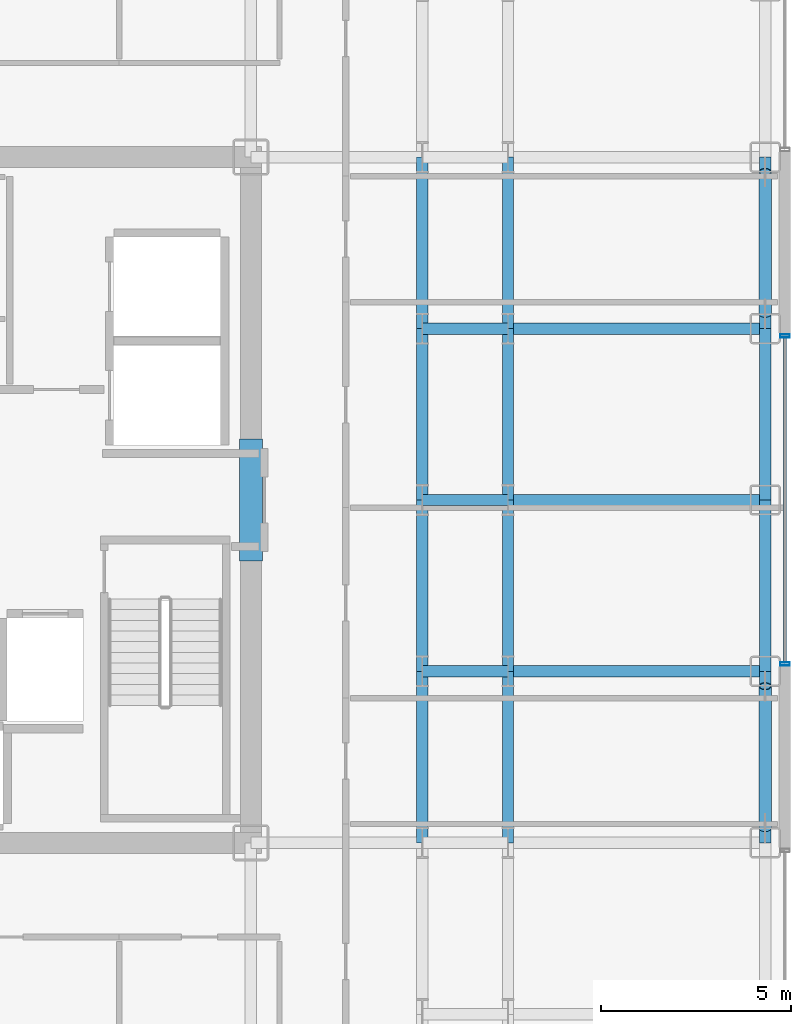
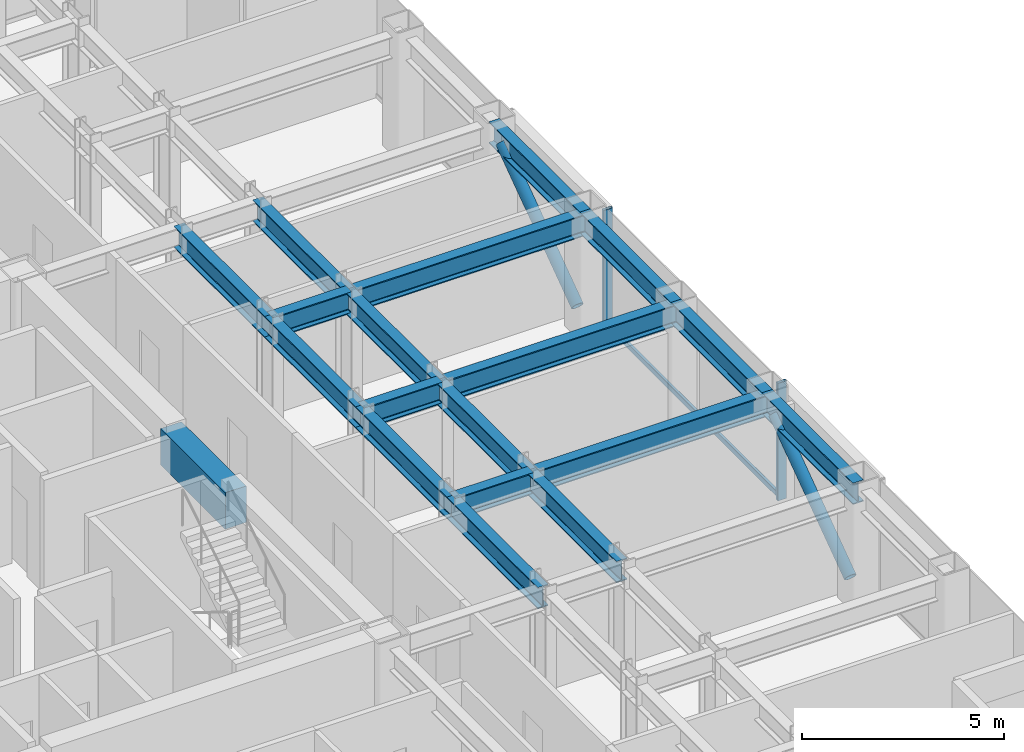
# One storey, part 11 of 26: 19 beams, 5 members, 1 element without a shape of its own.
"""IFC4 building model written with IfcOpenShell, lengths in metres."""

from ifc_helpers import new_model, si_unit, direction, frame, origin, origin_2d, place, context, subcontext, project, spatial, rectangle, hollow_rectangle, hollow_circle, i_section, extrude, source, transform, mapped, material, layer, layer_set, material_profile, profile_set, type_object, element, aggregate, save


model = new_model("IFC4")

# Units and contexts
model_context = context("Model", 3, precision=1e-05, world=origin(), true_north=direction((0.0, 1.0)))
body_context = subcontext(model_context, "Body", "Model", "MODEL_VIEW")
ifc_project = project(units=[si_unit("LENGTHUNIT", "METRE"), si_unit("AREAUNIT", "SQUARE_METRE"), si_unit("VOLUMEUNIT", "CUBIC_METRE"), si_unit("PLANEANGLEUNIT", "RADIAN"), si_unit("MASSUNIT", "GRAM", prefix="KILO")], contexts=[model_context])

# Site, building, storey
site_placement = place(None, origin())
site = spatial("IfcSite", under=ifc_project, at=site_placement, CompositionType="ELEMENT")
building_placement = place(site_placement, origin())
building = spatial("IfcBuilding", under=site, at=building_placement, Name="Nefas-Gora Pilgrimage Tower", CompositionType="ELEMENT")
storey_placement = place(building_placement, frame((0.0, 0.0, 171.60009765625)))
storey = spatial("IfcBuildingStorey", under=building, at=storey_placement, Name="L42", CompositionType="ELEMENT", Elevation=171.60009765625)

# Beams
ifc_material_1 = material(Name="Concrete C60/75", Category="concrete")
ifc_material_profile_1 = material_profile(ifc_material_1, rectangle(XDim=0.60009765625, YDim=1.10009765625, at=origin_2d()), Name="RC 600x1100")
ifc_profile_set_1 = profile_set([ifc_material_profile_1], Name="Concrete C60/75")
beam_type_1 = type_object("IfcBeamType", Name="BM-LIN-RC1100", PredefinedType="LINTEL", material=ifc_profile_set_1)
shared_shape_1 = source(origin(), body_context, "Body", "SweptSolid", [
    extrude(rectangle(XDim=0.60009765625, YDim=1.10009765625, at=origin_2d()), origin(), (0.0, 0.0, 1.0), 3.2001953125),
])
beam_placement = place(storey_placement, frame((11.25, -1.60009765625, 3.0), z_axis=(0.0, 1.0, 0.0), x_axis=(-1.0, 0.0, 0.0)))
element("IfcBeam", 1, at=beam_placement, inside=storey, type_object=beam_type_1, Name="L42 Core Coupling Lintel Beam E", PredefinedType="LINTEL", context=body_context, shape_type="MappedRepresentation", body=[
    mapped(shared_shape_1, transform((0.0, 0.0, 0.0), x_axis=(1.0, 0.0, 0.0), y_axis=(0.0, 1.0, 0.0), z_axis=(0.0, 0.0, 1.0), scale=1.0)),
])
ifc_material_2 = material(Name="Steel S355", Category="steel")
ifc_material_profile_2 = material_profile(ifc_material_2, i_section(OverallWidth=0.300048828125, OverallDepth=0.64990234375, WebThickness=0.01611328125, FlangeThickness=0.031005859375, FilletRadius=0.027099609375, at=origin_2d()), Name="HEB 650")
ifc_profile_set_2 = profile_set([ifc_material_profile_2], Name="Steel S355")
beam_type_2 = type_object("IfcBeamType", Name="BM-SPN-HEB500", PredefinedType="SPANDREL", material=ifc_profile_set_2)
shared_shape_2 = source(origin(), body_context, "Body", "SweptSolid", [
    extrude(i_section(OverallWidth=0.300048828125, OverallDepth=0.64990234375, WebThickness=0.01611328125, FlangeThickness=0.031005859375, FilletRadius=0.027099609375, at=origin_2d()), origin(), (0.0, 0.0, 1.0), 4.5),
])
for number, where, z_axis, x_axis, name in (
    (2, (24.75, -9.0, 3.224853515625), (0.0, 1.0, 0.0), (-1.0, 0.0, 0.0), "L42 SP-02 beam"),
    (3, (24.75, -4.5, 3.224853515625), (0.0, 1.0, 0.0), (-1.0, 0.0, 0.0), "L42 SP-02 beam"),
    (4, (24.75, 0.0, 3.224853515625), (0.0, 1.0, 0.0), (-1.0, 0.0, 0.0), "L42 SP-02 beam"),
    (5, (24.75, 4.5, 3.224853515625), (0.0, 1.0, 0.0), (-1.0, 0.0, 0.0), "L42 SP-02 beam"),
):
    element("IfcBeam", number, at=place(storey_placement, frame(where, z_axis=z_axis, x_axis=x_axis)), inside=storey, type_object=beam_type_2, Name=name, PredefinedType="SPANDREL", context=body_context, shape_type="MappedRepresentation", body=[
        mapped(shared_shape_2, transform((0.0, 0.0, 0.0), x_axis=(1.0, 0.0, 0.0), y_axis=(0.0, 1.0, 0.0), z_axis=(0.0, 0.0, 1.0), scale=1.0)),
    ])
ifc_material_profile_3 = material_profile(ifc_material_2, i_section(OverallWidth=0.300048828125, OverallDepth=0.64990234375, WebThickness=0.01611328125, FlangeThickness=0.031005859375, FilletRadius=0.027099609375, at=origin_2d()), Name="HEB 650")
ifc_profile_set_3 = profile_set([ifc_material_profile_3], Name="Steel S355")
beam_type_3 = type_object("IfcBeamType", Name="BM-GIR-HEB650", PredefinedType="BEAM", material=ifc_profile_set_3)
shared_shape_3 = source(origin(), body_context, "Body", "SweptSolid", [
    extrude(i_section(OverallWidth=0.300048828125, OverallDepth=0.64990234375, WebThickness=0.01611328125, FlangeThickness=0.031005859375, FilletRadius=0.027099609375, at=origin_2d()), origin(), (0.0, 0.0, 1.0), 4.5),
])
for number, where, z_axis, x_axis, name in (
    (6, (15.75, -9.0, 3.224853515625), (0.0, 1.0, 0.0), (-1.0, 0.0, 0.0), "L42 G-03 beam"),
    (7, (15.75, -4.5, 3.224853515625), (0.0, 1.0, 0.0), (-1.0, 0.0, 0.0), "L42 G-03 beam"),
    (8, (15.75, 0.0, 3.224853515625), (0.0, 1.0, 0.0), (-1.0, 0.0, 0.0), "L42 G-03 beam"),
    (9, (15.75, 4.5, 3.224853515625), (0.0, 1.0, 0.0), (-1.0, 0.0, 0.0), "L42 G-03 beam"),
    (10, (18.0, -9.0, 3.224853515625), (0.0, 1.0, 0.0), (-1.0, 0.0, 0.0), "L42 G-03 beam"),
    (11, (18.0, -4.5, 3.224853515625), (0.0, 1.0, 0.0), (-1.0, 0.0, 0.0), "L42 G-03 beam"),
    (12, (18.0, 0.0, 3.224853515625), (0.0, 1.0, 0.0), (-1.0, 0.0, 0.0), "L42 G-03 beam"),
    (13, (18.0, 4.5, 3.224853515625), (0.0, 1.0, 0.0), (-1.0, 0.0, 0.0), "L42 G-03 beam"),
):
    element("IfcBeam", number, at=place(storey_placement, frame(where, z_axis=z_axis, x_axis=x_axis)), inside=storey, type_object=beam_type_3, Name=name, PredefinedType="BEAM", context=body_context, shape_type="MappedRepresentation", body=[
        mapped(shared_shape_3, transform((0.0, 0.0, 0.0), x_axis=(1.0, 0.0, 0.0), y_axis=(0.0, 1.0, 0.0), z_axis=(0.0, 0.0, 1.0), scale=1.0)),
    ])
shared_shape_4 = source(origin(), body_context, "Body", "SweptSolid", [
    extrude(i_section(OverallWidth=0.300048828125, OverallDepth=0.64990234375, WebThickness=0.01611328125, FlangeThickness=0.031005859375, FilletRadius=0.027099609375, at=origin_2d()), origin(), (0.0, 0.0, 1.0), 6.75),
])
for number, where, z_axis, x_axis, name in (
    (14, (18.0, -4.5, 3.224853515625), (1.0, 0.0, 0.0), (0.0, 1.0, 0.0), "L42 G-03 beam"),
    (15, (18.0, 0.0, 3.224853515625), (1.0, 0.0, 0.0), (0.0, 1.0, 0.0), "L42 G-03 beam"),
    (16, (18.0, 4.5, 3.224853515625), (1.0, 0.0, 0.0), (0.0, 1.0, 0.0), "L42 G-03 beam"),
):
    element("IfcBeam", number, at=place(storey_placement, frame(where, z_axis=z_axis, x_axis=x_axis)), inside=storey, type_object=beam_type_3, Name=name, PredefinedType="BEAM", context=body_context, shape_type="MappedRepresentation", body=[
        mapped(shared_shape_4, transform((0.0, 0.0, 0.0), x_axis=(1.0, 0.0, 0.0), y_axis=(0.0, 1.0, 0.0), z_axis=(0.0, 0.0, 1.0), scale=1.0)),
    ])
shared_shape_5 = source(origin(), body_context, "Body", "SweptSolid", [
    extrude(i_section(OverallWidth=0.300048828125, OverallDepth=0.64990234375, WebThickness=0.01611328125, FlangeThickness=0.031005859375, FilletRadius=0.027099609375, at=origin_2d()), origin(), (0.0, 0.0, 1.0), 2.25),
])
for number, where, z_axis, x_axis, name in (
    (17, (15.75, -4.5, 3.224853515625), (1.0, 0.0, 0.0), (0.0, 1.0, 0.0), "L42 G-03 beam"),
    (18, (15.75, 0.0, 3.224853515625), (1.0, 0.0, 0.0), (0.0, 1.0, 0.0), "L42 G-03 beam"),
    (19, (15.75, 4.5, 3.224853515625), (1.0, 0.0, 0.0), (0.0, 1.0, 0.0), "L42 G-03 beam"),
):
    element("IfcBeam", number, at=place(storey_placement, frame(where, z_axis=z_axis, x_axis=x_axis)), inside=storey, type_object=beam_type_3, Name=name, PredefinedType="BEAM", context=body_context, shape_type="MappedRepresentation", body=[
        mapped(shared_shape_5, transform((0.0, 0.0, 0.0), x_axis=(1.0, 0.0, 0.0), y_axis=(0.0, 1.0, 0.0), z_axis=(0.0, 0.0, 1.0), scale=1.0)),
    ])

# Members
ifc_material_profile_4 = material_profile(ifc_material_2, hollow_circle(Radius=0.161865234375, WallThickness=0.02001953125, at=origin_2d()), Name="CHS 323.9x20")
ifc_profile_set_4 = profile_set([ifc_material_profile_4], Name="Steel S355")
member_type_1 = type_object("IfcMemberType", Name="MEM-TUBE-324", PredefinedType="BRACE", material=ifc_profile_set_4)
shared_shape_6 = source(origin(), body_context, "Body", "SweptSolid", [
    extrude(hollow_circle(Radius=0.161865234375, WallThickness=0.02001953125, at=origin_2d()), origin(), (0.0, 0.0, 1.0), 4.579345703125),
])
for number, where, z_axis, x_axis, name in (
    (20, (24.75, -8.612060546875, 0.427490234375), (0.0, 0.813246879171, 0.581918820385), (-1.0, 0.0, 0.0), "L42 Perimeter Tube Diagonal Brace E1"),
    (21, (24.75, 4.887939453125, 0.427490234375), (0.0, 0.813246879171, 0.581918820385), (-1.0, 0.0, 0.0), "L42 Perimeter Tube Diagonal Brace E2"),
):
    element("IfcMember", number, at=place(storey_placement, frame(where, z_axis=z_axis, x_axis=x_axis)), inside=storey, type_object=member_type_1, Name=name, PredefinedType="BRACE", context=body_context, shape_type="MappedRepresentation", body=[
        mapped(shared_shape_6, transform((0.0, 0.0, 0.0), x_axis=(1.0, 0.0, 0.0), y_axis=(0.0, 1.0, 0.0), z_axis=(0.0, 0.0, 1.0), scale=1.0)),
    ])

# Curtain wall, members
ifc_material_3 = material(Name="Dark ceramic-fritted solar-control aluminium-glass curtain wall", Category="aluminium")
ifc_layer = layer(ifc_material_3, 0.219970703125)
ifc_layer_set = layer_set([ifc_layer], Name="Dark ceramic-fritted solar-control aluminium-glass curtain wall")
curtain_wall_type = type_object("IfcCurtainWallType", Name="CW-SYS-3", PredefinedType="NOTDEFINED", material=ifc_layer_set)
curtain_wall_placement = place(storey_placement, origin())
curtain_wall = element("IfcCurtainWall", 22, at=curtain_wall_placement, inside=storey, type_object=curtain_wall_type, Name="L42 Unitised Curtain Wall CW3", PredefinedType="NOTDEFINED")
ifc_material_4 = material(Name="Anodised architectural aluminium", Category="aluminium")
ifc_material_profile_5 = material_profile(ifc_material_4, hollow_rectangle(XDim=0.080078125, YDim=0.159912109375, WallThickness=0.00439453125, InnerFilletRadius=0.00439453125, OuterFilletRadius=0.009033203125, at=origin_2d()), Name="ALU TRANSOM 80x160")
ifc_profile_set_5 = profile_set([ifc_material_profile_5], Name="Anodised architectural aluminium")
member_type_2 = type_object("IfcMemberType", Name="CWM-TRN-3", PredefinedType="USERDEFINED", material=ifc_profile_set_5)
shared_shape_7 = source(origin(), body_context, "Body", "SweptSolid", [
    extrude(hollow_rectangle(XDim=0.080078125, YDim=0.159912109375, WallThickness=0.00439453125, InnerFilletRadius=0.00439453125, OuterFilletRadius=0.009033203125, at=origin_2d()), origin(), (0.0, 0.0, 1.0), 8.52001953125),
])
member_1_placement = place(storey_placement, frame((25.27001953125, -4.260009765625, 0.0498046875), z_axis=(0.0, 1.0, 0.0), x_axis=(-1.0, 0.0, 0.0)))
member_1 = element("IfcMember", 23, at=member_1_placement, type_object=member_type_2, Name="CW3 Spandrel Transom", ObjectType="TRANSOM", PredefinedType="USERDEFINED", context=body_context, shape_type="MappedRepresentation", body=[
    mapped(shared_shape_7, transform((0.0, 0.0, 0.0), x_axis=(1.0, 0.0, 0.0), y_axis=(0.0, 1.0, 0.0), z_axis=(0.0, 0.0, 1.0), scale=1.0)),
])
ifc_material_profile_6 = material_profile(ifc_material_4, hollow_rectangle(XDim=0.090087890625, YDim=0.260009765625, WallThickness=0.006103515625, InnerFilletRadius=0.006103515625, OuterFilletRadius=0.011962890625, at=origin_2d()), Name="ALU MULLION 90x260")
ifc_profile_set_6 = profile_set([ifc_material_profile_6], Name="Anodised architectural aluminium")
member_type_3 = type_object("IfcMemberType", Name="CWM-MUL-3", PredefinedType="MULLION", material=ifc_profile_set_6)
shared_shape_8 = source(origin(), body_context, "Body", "SweptSolid", [
    extrude(hollow_rectangle(XDim=0.090087890625, YDim=0.260009765625, WallThickness=0.006103515625, InnerFilletRadius=0.006103515625, OuterFilletRadius=0.011962890625, at=origin_2d()), origin(), (0.0, 0.0, 1.0), 3.5498046875),
])
member_2_placement = place(storey_placement, frame((25.27001953125, -4.304931640625, 0.0), z_axis=(0.0, 0.0, 1.0), x_axis=(0.0, 1.0, 0.0)))
member_2 = element("IfcMember", 24, at=member_2_placement, type_object=member_type_3, Name="CW3 Mullion 1", PredefinedType="MULLION", context=body_context, shape_type="MappedRepresentation", body=[
    mapped(shared_shape_8, transform((0.0, 0.0, 0.0), x_axis=(1.0, 0.0, 0.0), y_axis=(0.0, 1.0, 0.0), z_axis=(0.0, 0.0, 1.0), scale=1.0)),
])
member_3_placement = place(storey_placement, frame((25.27001953125, 4.304931640625, 0.0), z_axis=(0.0, 0.0, 1.0), x_axis=(0.0, 1.0, 0.0)))
member_3 = element("IfcMember", 25, at=member_3_placement, type_object=member_type_3, Name="CW3 Mullion 2", PredefinedType="MULLION", context=body_context, shape_type="MappedRepresentation", body=[
    mapped(shared_shape_8, transform((0.0, 0.0, 0.0), x_axis=(1.0, 0.0, 0.0), y_axis=(0.0, 1.0, 0.0), z_axis=(0.0, 0.0, 1.0), scale=1.0)),
])
aggregate(curtain_wall, [member_2, member_3, member_1])

save(model, "model.ifc")
